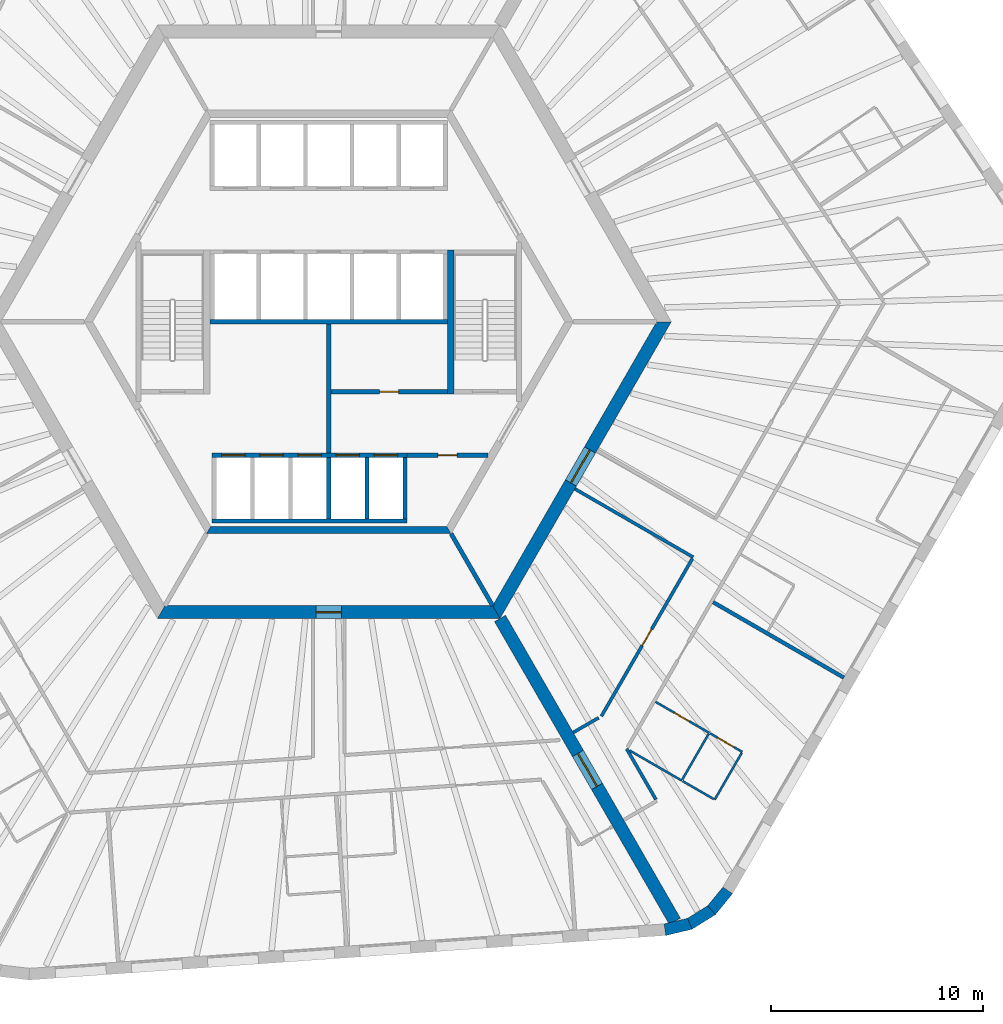
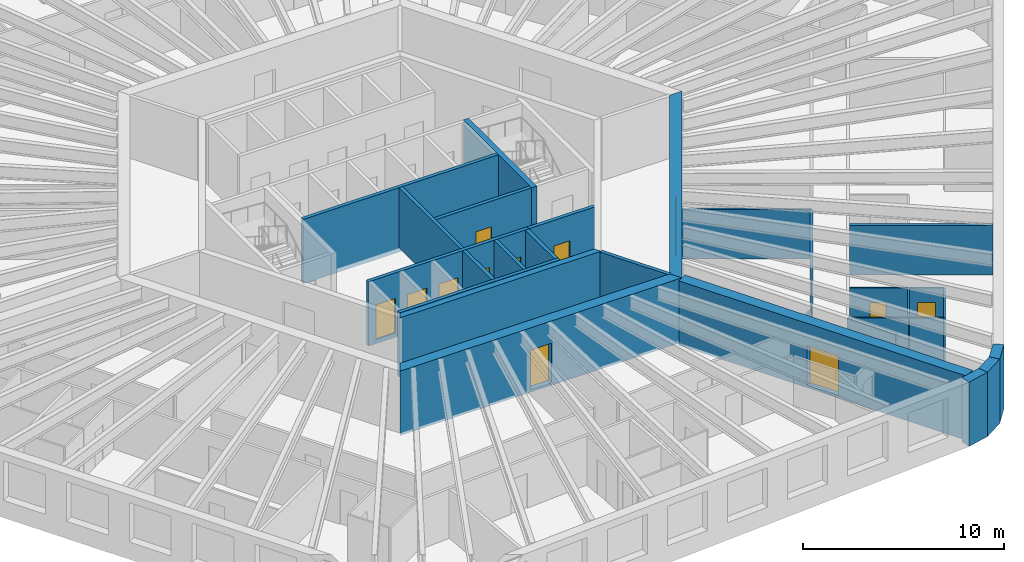
# One storey, part 5 of 11: 29 walls, 13 doors, 13 openings.
"""IFC4 building model written with IfcOpenShell, lengths in metres."""

from ifc_helpers import new_model, si_unit, direction, frame, frame_2d, origin, place, context, subcontext, project, spatial, polyline, rectangle, outline, extrude, material, layer, layer_set, type_object, element, fill, save


model = new_model("IFC4")

# Units and contexts
model_context = context("Model", 3, precision=1e-05, world=origin(), true_north=direction((0.0, 1.0)))
body_context = subcontext(model_context, "Body", "Model", "MODEL_VIEW")
ifc_project = project(units=[si_unit("LENGTHUNIT", "METRE"), si_unit("AREAUNIT", "SQUARE_METRE"), si_unit("VOLUMEUNIT", "CUBIC_METRE"), si_unit("PLANEANGLEUNIT", "RADIAN"), si_unit("MASSUNIT", "GRAM", prefix="KILO")], contexts=[model_context])

# Site, building, storey
site_placement = place(None, origin())
site = spatial("IfcSite", under=ifc_project, at=site_placement, CompositionType="ELEMENT")
building_placement = place(site_placement, origin())
building = spatial("IfcBuilding", under=site, at=building_placement, Name="Tarnside Tower", CompositionType="ELEMENT")
storey_placement = place(building_placement, frame((0.0, 0.0, 103.800048828125)))
storey = spatial("IfcBuildingStorey", under=building, at=storey_placement, Name="L23", CompositionType="ELEMENT", Elevation=103.800048828125)

# Wall
ifc_material_1 = material(Name="Gypsum board partition on steel studs", Category="steel")
ifc_layer_1 = layer(ifc_material_1, 0.10009765625)
ifc_layer_set_1 = layer_set([ifc_layer_1], Name="Bathroom wall 100")
wall_type_1 = type_object("IfcWallType", Name="Bathroom wall 100", PredefinedType="PARTITIONING", material=ifc_layer_set_1)
wall_1_placement = place(storey_placement, frame((16.656494140625, -21.64990234375, 0.0), z_axis=(0.0, 0.0, 1.0), x_axis=(-0.866041498374, 0.499972122318, 0.0)))
element("IfcWall", 1, at=wall_1_placement, inside=storey, type_object=wall_type_1, Name="Bathroom wall 07131", PredefinedType="PARTITIONING", context=body_context, shape_type="SweptSolid", body=[
    extrude(rectangle(XDim=2.849853515625, YDim=0.10009765625, at=frame_2d((1.4248046875, 0.0))), origin(), (0.0, 0.0, 1.0), 2.98779296875),
])

# Wall, opening, door
wall_2_placement = place(storey_placement, frame((15.42333984375, -17.935791015625, 0.0), z_axis=(0.0, 0.0, 1.0), x_axis=(0.86601045545, -0.500025890382, 0.0)))
wall_2 = element("IfcWall", 2, at=wall_2_placement, inside=storey, type_object=wall_type_1, Name="Bathroom wall 07132", PredefinedType="PARTITIONING", context=body_context, shape_type="SweptSolid", body=[
    extrude(rectangle(XDim=2.925048828125, YDim=0.10009765625, at=frame_2d((1.46240234375, 0.0))), origin(), (0.0, 0.0, 1.0), 2.98779296875),
])
opening_1_placement = place(wall_2_placement, frame((1.02490234375, 0.0, 0.0)))
opening_1 = element("IfcOpeningElement", 3, at=opening_1_placement, cuts=wall_2, Name="Opening D-B1", PredefinedType="OPENING", context=body_context, shape_type="SweptSolid", body=[
    extrude(rectangle(XDim=0.800048828125, YDim=2.10009765625, at=frame_2d((0.39990234375, 1.050048828125))), frame((0.0, 0.06005859375, 0.0), z_axis=(0.0, -1.0, 0.0), x_axis=(1.0, 0.0, 0.0)), (0.0, 0.0, 1.0), 0.1201171875),
])
ifc_material_2 = material(Name="Timber door leaf", Category="wood")
door_type_1 = type_object("IfcDoorType", Name="Bathroom door 800", OperationType="NOTDEFINED", PredefinedType="DOOR", material=ifc_material_2)
door_1_placement = place(opening_1_placement, origin())
door_1 = element("IfcDoor", 4, at=door_1_placement, inside=storey, type_object=door_type_1, Name="Bathroom door 07030", OperationType="SINGLE_SWING_RIGHT", OverallHeight=2.10009765625, OverallWidth=0.800048828125, PredefinedType="DOOR", context=body_context, shape_type="SweptSolid", body=[
    extrude(rectangle(XDim=0.800048828125, YDim=2.10009765625, at=frame_2d((0.39990234375, 1.050048828125))), frame((0.0, 0.02490234375, 0.0), z_axis=(0.0, -1.0, 0.0), x_axis=(1.0, 0.0, 0.0)), (0.0, 0.0, 1.0), 0.050048828125),
])
fill(opening_1, door_1)

# Walls
wall_3_placement = place(storey_placement, frame((16.681640625, -21.606689453125, 0.0), z_axis=(0.0, 0.0, 1.0), x_axis=(0.500004234368, 0.866022959057, 0.0)))
element("IfcWall", 5, at=wall_3_placement, inside=storey, type_object=wall_type_1, Name="Bathroom wall 07138", PredefinedType="PARTITIONING", context=body_context, shape_type="SweptSolid", body=[
    extrude(rectangle(XDim=2.5, YDim=0.10009765625, at=frame_2d((1.25, 0.0))), origin(), (0.0, 0.0, 1.0), 2.98779296875),
])
ifc_material_3 = material(Name="Concrete C50/60", Category="concrete")
ifc_layer_2 = layer(ifc_material_3, 0.35009765625)
ifc_layer_set_2 = layer_set([ifc_layer_2], Name="Core block wall 350 C50/60")
wall_type_2 = type_object("IfcWallType", Name="Core block wall 350 C50/60", PredefinedType="SHEAR", material=ifc_layer_set_2)
wall_4_placement = place(storey_placement, frame((-5.672607421875, -9.824951171875, -0.150146484375), z_axis=(0.0, 0.0, 1.0), x_axis=(1.0, 0.0, 0.0)))
element("IfcWall", 6, at=wall_4_placement, inside=storey, type_object=wall_type_2, Name="L23 core block wall face 4", PredefinedType="SHEAR", context=body_context, shape_type="SweptSolid", body=[
    extrude(outline(polyline([(-0.10107421875, -0.175048828125), (11.4462890625, -0.175048828125), (11.244140625, 0.175048828125), (0.10107421875, 0.175048828125), (-0.10107421875, -0.175048828125)])), origin(), (0.0, 0.0, 1.0), 3.900146484375),
])

# Wall, opening, door
ifc_material_4 = material(Name="Concrete C40/50", Category="concrete")
ifc_layer_3 = layer(ifc_material_4, 0.199951171875)
ifc_layer_set_3 = layer_set([ifc_layer_3], Name="Core room partition 200 C40/50")
wall_type_3 = type_object("IfcWallType", Name="Core room partition 200 C40/50", PredefinedType="PARTITIONING", material=ifc_layer_set_3)
wall_5_placement = place(storey_placement, frame((0.10009765625, -3.300048828125, 0.0), z_axis=(0.0, 0.0, 1.0), x_axis=(1.0, 0.0, 0.0)))
wall_5 = element("IfcWall", 7, at=wall_5_placement, inside=storey, type_object=wall_type_3, Name="L23 core partition R3S1", PredefinedType="PARTITIONING", context=body_context, shape_type="SweptSolid", body=[
    extrude(rectangle(XDim=5.5, YDim=0.199951171875, at=frame_2d((2.75, 0.0))), origin(), (0.0, 0.0, 1.0), 3.64990234375),
])
opening_2_placement = place(wall_5_placement, frame((2.300048828125, 0.0, 0.0)))
opening_2 = element("IfcOpeningElement", 8, at=opening_2_placement, cuts=wall_5, Name="Opening CD-room", PredefinedType="OPENING", context=body_context, shape_type="SweptSolid", body=[
    extrude(rectangle(XDim=0.89990234375, YDim=2.10009765625, at=frame_2d((0.449951171875, 1.050048828125))), frame((0.0, 0.10986328125, 0.0), z_axis=(0.0, -1.0, 0.0), x_axis=(1.0, 0.0, 0.0)), (0.0, 0.0, 1.0), 0.219970703125),
])
ifc_material_5 = material(Name="Steel fire door", Category="steel")
door_type_2 = type_object("IfcDoorType", Name="Room door FD60 900x2100", OperationType="NOTDEFINED", PredefinedType="DOOR", material=ifc_material_5)
door_2_placement = place(opening_2_placement, origin())
door_2 = element("IfcDoor", 9, at=door_2_placement, inside=storey, type_object=door_type_2, Name="L23 core room door SR1", OperationType="SINGLE_SWING_LEFT", OverallHeight=2.10009765625, OverallWidth=0.89990234375, PredefinedType="DOOR", context=body_context, shape_type="SweptSolid", body=[
    extrude(rectangle(XDim=0.89990234375, YDim=2.10009765625, at=frame_2d((0.449951171875, 1.050048828125))), frame((0.0, 0.02490234375, 0.0), z_axis=(0.0, -1.0, 0.0), x_axis=(1.0, 0.0, 0.0)), (0.0, 0.0, 1.0), 0.050048828125),
])
fill(opening_2, door_2)

# Wall
wall_6_placement = place(storey_placement, frame((0.0, -6.199951171875, 0.0), z_axis=(0.0, 0.0, 1.0), x_axis=(0.0, 1.0, 0.0)))
element("IfcWall", 10, at=wall_6_placement, inside=storey, type_object=wall_type_3, Name="L23 core partition X0", PredefinedType="PARTITIONING", context=body_context, shape_type="SweptSolid", body=[
    extrude(rectangle(XDim=6.099853515625, YDim=0.199951171875, at=frame_2d((3.0498046875, 0.0))), origin(), (0.0, 0.0, 1.0), 3.64990234375),
])

# Wall, opening, door
wall_7_placement = place(storey_placement, frame((3.699951171875, -6.300048828125, 0.0), z_axis=(0.0, 0.0, 1.0), x_axis=(1.0, 0.0, 0.0)))
wall_7 = element("IfcWall", 11, at=wall_7_placement, inside=storey, type_object=wall_type_3, Name="L23 core partition R4X", PredefinedType="PARTITIONING", context=body_context, shape_type="SweptSolid", body=[
    extrude(rectangle(XDim=3.8056640625, YDim=0.199951171875, at=frame_2d((1.90283203125, 0.0))), origin(), (0.0, 0.0, 1.0), 3.64990234375),
])
opening_3_placement = place(wall_7_placement, frame((1.452880859375, 0.0, 0.0)))
opening_3 = element("IfcOpeningElement", 12, at=opening_3_placement, cuts=wall_7, Name="Opening CD-room", PredefinedType="OPENING", context=body_context, shape_type="SweptSolid", body=[
    extrude(rectangle(XDim=0.89990234375, YDim=2.10009765625, at=frame_2d((0.449951171875, 1.050048828125))), frame((0.0, 0.10986328125, 0.0), z_axis=(0.0, -1.0, 0.0), x_axis=(1.0, 0.0, 0.0)), (0.0, 0.0, 1.0), 0.219970703125),
])
door_3_placement = place(opening_3_placement, origin())
door_3 = element("IfcDoor", 13, at=door_3_placement, inside=storey, type_object=door_type_2, Name="L23 core room door RX", OperationType="SINGLE_SWING_LEFT", OverallHeight=2.10009765625, OverallWidth=0.89990234375, PredefinedType="DOOR", context=body_context, shape_type="SweptSolid", body=[
    extrude(rectangle(XDim=0.89990234375, YDim=2.10009765625, at=frame_2d((0.449951171875, 1.050048828125))), frame((0.0, 0.02490234375, 0.0), z_axis=(0.0, -1.0, 0.0), x_axis=(1.0, 0.0, 0.0)), (0.0, 0.0, 1.0), 0.050048828125),
])
fill(opening_3, door_3)

ifc_material_6 = material(Name="Concrete C80/95", Category="concrete")
ifc_layer_4 = layer(ifc_material_6, 0.60009765625)
ifc_layer_set_4 = layer_set([ifc_layer_4], Name="Core wall Z1 600 C80/95")
wall_type_4 = type_object("IfcWallType", Name="Core wall Z1 600 C80/95", PredefinedType="SHEAR", material=ifc_layer_set_4)
wall_8_placement = place(storey_placement, frame((-7.90966796875, -13.699951171875, -0.150146484375), z_axis=(0.0, 0.0, 1.0), x_axis=(1.0, 0.0, 0.0)))
wall_8 = element("IfcWall", 14, at=wall_8_placement, inside=storey, type_object=wall_type_4, Name="L23 core wall face 4", PredefinedType="SHEAR", context=body_context, shape_type="SweptSolid", body=[
    extrude(outline(polyline([(-0.17333984375, -0.300048828125), (15.99267578125, -0.300048828125), (15.64599609375, 0.300048828125), (0.17333984375, 0.300048828125), (-0.17333984375, -0.300048828125)])), origin(), (0.0, 0.0, 1.0), 3.900146484375),
])
opening_4_placement = place(wall_8_placement, frame((7.309814453125, 0.0, 0.14990234375)))
opening_4 = element("IfcOpeningElement", 15, at=opening_4_placement, cuts=wall_8, Name="Opening CD-RSR", PredefinedType="OPENING", context=body_context, shape_type="SweptSolid", body=[
    extrude(rectangle(XDim=1.199951171875, YDim=2.39990234375, at=frame_2d((0.60009765625, 1.199951171875))), frame((0.0, 0.31005859375, 0.0), z_axis=(0.0, -1.0, 0.0), x_axis=(1.0, 0.0, 0.0)), (0.0, 0.0, 1.0), 0.6201171875),
])
door_type_3 = type_object("IfcDoorType", Name="Riser door FD60 1200x2400", OperationType="NOTDEFINED", PredefinedType="DOOR", material=ifc_material_5)
door_4_placement = place(opening_4_placement, origin())
door_4 = element("IfcDoor", 16, at=door_4_placement, inside=storey, type_object=door_type_3, Name="L23 core door S6", OperationType="SINGLE_SWING_LEFT", OverallHeight=2.39990234375, OverallWidth=1.199951171875, PredefinedType="DOOR", context=body_context, shape_type="SweptSolid", body=[
    extrude(rectangle(XDim=1.199951171875, YDim=2.39990234375, at=frame_2d((0.60009765625, 1.199951171875))), frame((0.0, 0.02490234375, 0.0), z_axis=(0.0, -1.0, 0.0), x_axis=(1.0, 0.0, 0.0)), (0.0, 0.0, 1.0), 0.050048828125),
])
fill(opening_4, door_4)

wall_9_placement = place(storey_placement, frame((7.90966796875, -13.699951171875, -0.150146484375), z_axis=(0.0, 0.0, 1.0), x_axis=(0.499999880136, 0.866025472988, 0.0)))
wall_9 = element("IfcWall", 17, at=wall_9_placement, inside=storey, type_object=wall_type_4, Name="L23 core wall face 5", PredefinedType="SHEAR", context=body_context, shape_type="SweptSolid", body=[
    extrude(outline(polyline([(-0.17333984375, -0.300048828125), (15.99267578125, -0.300048828125), (15.64599609375, 0.300048828125), (0.17333984375, 0.300048828125), (-0.17333984375, -0.300048828125)])), origin(), (0.0, 0.0, 1.0), 3.900146484375),
])
opening_5_placement = place(wall_9_placement, frame((7.03857421875, 0.0, 0.14990234375)))
opening_5 = element("IfcOpeningElement", 18, at=opening_5_placement, cuts=wall_9, Name="Opening CD-FFL", PredefinedType="OPENING", context=body_context, shape_type="SweptSolid", body=[
    extrude(rectangle(XDim=1.800048828125, YDim=2.39990234375, at=frame_2d((0.89990234375, 1.199951171875))), frame((0.0, 0.31005859375, 0.0), z_axis=(0.0, -1.0, 0.0), x_axis=(1.0, 0.0, 0.0)), (0.0, 0.0, 1.0), 0.6201171875),
])
door_type_4 = type_object("IfcDoorType", Name="Firefighting lobby double door FD60S 1800x2400", OperationType="NOTDEFINED", PredefinedType="DOOR", material=ifc_material_5)
door_5_placement = place(opening_5_placement, origin())
door_5 = element("IfcDoor", 19, at=door_5_placement, inside=storey, type_object=door_type_4, Name="L23 core door P4", OperationType="DOUBLE_DOOR_SINGLE_SWING", OverallHeight=2.39990234375, OverallWidth=1.800048828125, PredefinedType="DOOR", context=body_context, shape_type="SweptSolid", body=[
    extrude(rectangle(XDim=1.800048828125, YDim=2.39990234375, at=frame_2d((0.89990234375, 1.199951171875))), frame((0.0, 0.02490234375, 0.0), z_axis=(0.0, -1.0, 0.0), x_axis=(1.0, 0.0, 0.0)), (0.0, 0.0, 1.0), 0.050048828125),
])
fill(opening_5, door_5)

wall_10_placement = place(storey_placement, frame((8.0830078125, -14.0, -0.150146484375), z_axis=(0.0, 0.0, 1.0), x_axis=(0.499997680643, -0.866026742862, 0.0)))
wall_10 = element("IfcWall", 20, at=wall_10_placement, inside=storey, type_object=wall_type_4, Name="L23 spine wall 3", PredefinedType="SHEAR", context=body_context, shape_type="SweptSolid", body=[
    extrude(rectangle(XDim=16.5087890625, YDim=0.60009765625, at=frame_2d((8.25439453125, 0.0))), origin(), (0.0, 0.0, 1.0), 3.900146484375),
])
opening_6_placement = place(wall_10_placement, frame((7.3544921875, 0.0, 0.14990234375)))
opening_6 = element("IfcOpeningElement", 21, at=opening_6_placement, cuts=wall_10, Name="Opening CD-SPN", PredefinedType="OPENING", context=body_context, shape_type="SweptSolid", body=[
    extrude(rectangle(XDim=1.800048828125, YDim=2.39990234375, at=frame_2d((0.89990234375, 1.199951171875))), frame((0.0, 0.31005859375, 0.0), z_axis=(0.0, -1.0, 0.0), x_axis=(1.0, 0.0, 0.0)), (0.0, 0.0, 1.0), 0.6201171875),
])
door_type_5 = type_object("IfcDoorType", Name="Spine passage double door FD60 1800x2400", OperationType="NOTDEFINED", PredefinedType="DOOR", material=ifc_material_5)
door_6_placement = place(opening_6_placement, origin())
door_6 = element("IfcDoor", 22, at=door_6_placement, inside=storey, type_object=door_type_5, Name="L23 spine passage door 3", OperationType="DOUBLE_DOOR_SINGLE_SWING", OverallHeight=2.39990234375, OverallWidth=1.800048828125, PredefinedType="DOOR", context=body_context, shape_type="SweptSolid", body=[
    extrude(rectangle(XDim=1.800048828125, YDim=2.39990234375, at=frame_2d((0.89990234375, 1.199951171875))), frame((0.0, 0.02490234375, 0.0), z_axis=(0.0, -1.0, 0.0), x_axis=(1.0, 0.0, 0.0)), (0.0, 0.0, 1.0), 0.050048828125),
])
fill(opening_6, door_6)

# Walls
ifc_layer_5 = layer(ifc_material_1, 0.14990234375)
ifc_layer_set_5 = layer_set([ifc_layer_5], Name="Corridor wall 150 EI 60")
wall_type_5 = type_object("IfcWallType", Name="Corridor wall 150 EI 60", PredefinedType="PARTITIONING", material=ifc_layer_set_5)
wall_11_placement = place(storey_placement, frame((15.44140625, -22.545166015625, 0.0), z_axis=(0.0, 0.0, 1.0), x_axis=(-0.499974611044, 0.866040061609, 0.0)))
element("IfcWall", 23, at=wall_11_placement, inside=storey, type_object=wall_type_5, Name="Corridor wall 07053", PredefinedType="PARTITIONING", context=body_context, shape_type="SweptSolid", body=[
    extrude(rectangle(XDim=2.765869140625, YDim=0.14990234375, at=frame_2d((1.3828125, 0.0))), origin(), (0.0, 0.0, 1.0), 2.98779296875),
])
wall_12_placement = place(storey_placement, frame((11.61376953125, -7.88427734375, 0.0), z_axis=(0.0, 0.0, 1.0), x_axis=(0.866021702275, -0.500006411147, 0.0)))
element("IfcWall", 24, at=wall_12_placement, inside=storey, type_object=wall_type_5, Name="Corridor wall 07071", PredefinedType="PARTITIONING", context=body_context, shape_type="SweptSolid", body=[
    extrude(rectangle(XDim=6.4501953125, YDim=0.14990234375, at=frame_2d((3.22509765625, 0.0))), origin(), (0.0, 0.0, 1.0), 2.98779296875),
])

# Wall, opening, door
wall_13_placement = place(storey_placement, frame((17.162109375, -11.17431640625, 0.0), z_axis=(0.0, 0.0, 1.0), x_axis=(-0.499997214665, -0.866027011893, 0.0)))
wall_13 = element("IfcWall", 25, at=wall_13_placement, inside=storey, type_object=wall_type_5, Name="Corridor wall 07072", PredefinedType="PARTITIONING", context=body_context, shape_type="SweptSolid", body=[
    extrude(rectangle(XDim=8.5888671875, YDim=0.14990234375, at=frame_2d((4.29443359375, 0.0))), origin(), (0.0, 0.0, 1.0), 2.98779296875),
])
opening_7_placement = place(wall_13_placement, frame((3.844482421875, 0.0, 0.0)))
opening_7 = element("IfcOpeningElement", 26, at=opening_7_placement, cuts=wall_13, Name="Opening D-S1", PredefinedType="OPENING", context=body_context, shape_type="SweptSolid", body=[
    extrude(rectangle(XDim=0.89990234375, YDim=2.10009765625, at=frame_2d((0.449951171875, 1.050048828125))), frame((0.0, 0.0849609375, 0.0), z_axis=(0.0, -1.0, 0.0), x_axis=(1.0, 0.0, 0.0)), (0.0, 0.0, 1.0), 0.169921875),
])
door_type_6 = type_object("IfcDoorType", Name="Service room door 900 FD30S", OperationType="NOTDEFINED", PredefinedType="DOOR", material=ifc_material_2)
door_7_placement = place(opening_7_placement, origin())
door_7 = element("IfcDoor", 27, at=door_7_placement, inside=storey, type_object=door_type_6, Name="Service door 07049", OperationType="SINGLE_SWING_LEFT", OverallHeight=2.10009765625, OverallWidth=0.89990234375, PredefinedType="DOOR", context=body_context, shape_type="SweptSolid", body=[
    extrude(rectangle(XDim=0.89990234375, YDim=2.10009765625, at=frame_2d((0.449951171875, 1.050048828125))), frame((0.0, 0.02490234375, 0.0), z_axis=(0.0, -1.0, 0.0), x_axis=(1.0, 0.0, 0.0)), (0.0, 0.0, 1.0), 0.050048828125),
])
fill(opening_7, door_7)

# Walls
wall_14_placement = place(storey_placement, frame((12.73779296875, -18.6875, 0.0), z_axis=(0.0, 0.0, 1.0), x_axis=(-0.866080107329, -0.499905238708, 0.0)))
element("IfcWall", 28, at=wall_14_placement, inside=storey, type_object=wall_type_5, Name="Corridor wall 07073", PredefinedType="PARTITIONING", context=body_context, shape_type="SweptSolid", body=[
    extrude(rectangle(XDim=1.387451171875, YDim=0.14990234375, at=frame_2d((0.69384765625, 0.0))), origin(), (0.0, 0.0, 1.0), 2.98779296875),
])
ifc_layer_6 = layer(ifc_material_1, 0.179931640625)
ifc_layer_set_6 = layer_set([ifc_layer_6], Name="Demising wall 180 EI 60")
wall_type_6 = type_object("IfcWallType", Name="Demising wall 180 EI 60", PredefinedType="PARTITIONING", material=ifc_layer_set_6)
wall_15_placement = place(storey_placement, frame((24.31005859375, -16.7939453125, 0.0), z_axis=(0.0, 0.0, 1.0), x_axis=(-0.866024672353, 0.500001266874, 0.0)))
element("IfcWall", 29, at=wall_15_placement, inside=storey, type_object=wall_type_6, Name="Demising wall 07136", PredefinedType="PARTITIONING", context=body_context, shape_type="SweptSolid", body=[
    extrude(rectangle(XDim=7.125, YDim=0.179931640625, at=frame_2d((3.5625, 0.0))), origin(), (0.0, 0.0, 1.0), 2.98779296875),
])
ifc_layer_7 = layer(ifc_material_4, 0.199951171875)
ifc_layer_set_7 = layer_set([ifc_layer_7], Name="Lift shaft wall 200 C40/50")
wall_type_7 = type_object("IfcWallType", Name="Lift shaft wall 200 C40/50", PredefinedType="SHEAR", material=ifc_layer_set_7)
wall_16_placement = place(storey_placement, frame((-5.60009765625, 0.0, -0.25), z_axis=(0.0, 0.0, 1.0), x_axis=(1.0, 0.0, 0.0)))
element("IfcWall", 30, at=wall_16_placement, inside=storey, type_object=wall_type_7, Name="L23 lift shaft back wall R2", PredefinedType="SHEAR", context=body_context, shape_type="SweptSolid", body=[
    extrude(rectangle(XDim=11.2001953125, YDim=0.199951171875, at=frame_2d((5.60009765625, 0.0))), origin(), (0.0, 0.0, 1.0), 3.89990234375),
])

# Wall, openings, doors
wall_17_placement = place(storey_placement, frame((-5.5, -6.300048828125, -0.25), z_axis=(0.0, 0.0, 1.0), x_axis=(1.0, 0.0, 0.0)))
wall_17 = element("IfcWall", 31, at=wall_17_placement, inside=storey, type_object=wall_type_7, Name="L23 lift shaft front wall R4", PredefinedType="SHEAR", context=body_context, shape_type="SweptSolid", body=[
    extrude(rectangle(XDim=9.199951171875, YDim=0.199951171875, at=frame_2d((4.60009765625, 0.0))), origin(), (0.0, 0.0, 1.0), 3.89990234375),
])
opening_8_placement = place(wall_17_placement, frame((0.449951171875, 0.0, 0.25)))
opening_8 = element("IfcOpeningElement", 32, at=opening_8_placement, cuts=wall_17, Name="Opening LDF", PredefinedType="OPENING", context=body_context, shape_type="SweptSolid", body=[
    extrude(rectangle(XDim=1.10009765625, YDim=2.10009765625, at=frame_2d((0.550048828125, 1.050048828125))), frame((0.0, 0.10986328125, 0.0), z_axis=(0.0, -1.0, 0.0), x_axis=(1.0, 0.0, 0.0)), (0.0, 0.0, 1.0), 0.219970703125),
])
opening_9_placement = place(wall_17_placement, frame((2.25, 0.0, 0.25)))
opening_9 = element("IfcOpeningElement", 33, at=opening_9_placement, cuts=wall_17, Name="Opening LDF", PredefinedType="OPENING", context=body_context, shape_type="SweptSolid", body=[
    extrude(rectangle(XDim=1.10009765625, YDim=2.10009765625, at=frame_2d((0.550048828125, 1.050048828125))), frame((0.0, 0.10986328125, 0.0), z_axis=(0.0, -1.0, 0.0), x_axis=(1.0, 0.0, 0.0)), (0.0, 0.0, 1.0), 0.219970703125),
])
opening_10_placement = place(wall_17_placement, frame((4.050048828125, 0.0, 0.25)))
opening_10 = element("IfcOpeningElement", 34, at=opening_10_placement, cuts=wall_17, Name="Opening LDF", PredefinedType="OPENING", context=body_context, shape_type="SweptSolid", body=[
    extrude(rectangle(XDim=1.10009765625, YDim=2.10009765625, at=frame_2d((0.550048828125, 1.050048828125))), frame((0.0, 0.10986328125, 0.0), z_axis=(0.0, -1.0, 0.0), x_axis=(1.0, 0.0, 0.0)), (0.0, 0.0, 1.0), 0.219970703125),
])
opening_11_placement = place(wall_17_placement, frame((5.85009765625, 0.0, 0.25)))
opening_11 = element("IfcOpeningElement", 35, at=opening_11_placement, cuts=wall_17, Name="Opening LDF", PredefinedType="OPENING", context=body_context, shape_type="SweptSolid", body=[
    extrude(rectangle(XDim=1.10009765625, YDim=2.10009765625, at=frame_2d((0.550048828125, 1.050048828125))), frame((0.0, 0.10986328125, 0.0), z_axis=(0.0, -1.0, 0.0), x_axis=(1.0, 0.0, 0.0)), (0.0, 0.0, 1.0), 0.219970703125),
])
opening_12_placement = place(wall_17_placement, frame((7.64990234375, 0.0, 0.25)))
opening_12 = element("IfcOpeningElement", 36, at=opening_12_placement, cuts=wall_17, Name="Opening LDF", PredefinedType="OPENING", context=body_context, shape_type="SweptSolid", body=[
    extrude(rectangle(XDim=1.10009765625, YDim=2.10009765625, at=frame_2d((0.550048828125, 1.050048828125))), frame((0.0, 0.10986328125, 0.0), z_axis=(0.0, -1.0, 0.0), x_axis=(1.0, 0.0, 0.0)), (0.0, 0.0, 1.0), 0.219970703125),
])
ifc_material_7 = material(Name="Stainless steel", Category="steel")
door_type_7 = type_object("IfcDoorType", Name="Lift landing door 1100x2100 EI 120", OperationType="NOTDEFINED", PredefinedType="DOOR", material=ifc_material_7)
door_8_placement = place(opening_8_placement, origin())
door_8 = element("IfcDoor", 37, at=door_8_placement, inside=storey, type_object=door_type_7, Name="Firefighting lift 1 landing door L23", OperationType="SLIDING_TO_LEFT", OverallHeight=2.10009765625, OverallWidth=1.10009765625, PredefinedType="DOOR", context=body_context, shape_type="SweptSolid", body=[
    extrude(rectangle(XDim=1.10009765625, YDim=2.10009765625, at=frame_2d((0.550048828125, 1.050048828125))), frame((0.0, 0.02490234375, 0.0), z_axis=(0.0, -1.0, 0.0), x_axis=(1.0, 0.0, 0.0)), (0.0, 0.0, 1.0), 0.050048828125),
])
fill(opening_8, door_8)
door_9_placement = place(opening_9_placement, origin())
door_9 = element("IfcDoor", 38, at=door_9_placement, inside=storey, type_object=door_type_7, Name="Firefighting lift 2 landing door L23", OperationType="SLIDING_TO_LEFT", OverallHeight=2.10009765625, OverallWidth=1.10009765625, PredefinedType="DOOR", context=body_context, shape_type="SweptSolid", body=[
    extrude(rectangle(XDim=1.10009765625, YDim=2.10009765625, at=frame_2d((0.550048828125, 1.050048828125))), frame((0.0, 0.02490234375, 0.0), z_axis=(0.0, -1.0, 0.0), x_axis=(1.0, 0.0, 0.0)), (0.0, 0.0, 1.0), 0.050048828125),
])
fill(opening_9, door_9)
door_10_placement = place(opening_10_placement, origin())
door_10 = element("IfcDoor", 39, at=door_10_placement, inside=storey, type_object=door_type_7, Name="Firefighting lift 3 landing door L23", OperationType="SLIDING_TO_LEFT", OverallHeight=2.10009765625, OverallWidth=1.10009765625, PredefinedType="DOOR", context=body_context, shape_type="SweptSolid", body=[
    extrude(rectangle(XDim=1.10009765625, YDim=2.10009765625, at=frame_2d((0.550048828125, 1.050048828125))), frame((0.0, 0.02490234375, 0.0), z_axis=(0.0, -1.0, 0.0), x_axis=(1.0, 0.0, 0.0)), (0.0, 0.0, 1.0), 0.050048828125),
])
fill(opening_10, door_10)
door_11_placement = place(opening_11_placement, origin())
door_11 = element("IfcDoor", 40, at=door_11_placement, inside=storey, type_object=door_type_7, Name="Firefighting lift 4 landing door L23", OperationType="SLIDING_TO_LEFT", OverallHeight=2.10009765625, OverallWidth=1.10009765625, PredefinedType="DOOR", context=body_context, shape_type="SweptSolid", body=[
    extrude(rectangle(XDim=1.10009765625, YDim=2.10009765625, at=frame_2d((0.550048828125, 1.050048828125))), frame((0.0, 0.02490234375, 0.0), z_axis=(0.0, -1.0, 0.0), x_axis=(1.0, 0.0, 0.0)), (0.0, 0.0, 1.0), 0.050048828125),
])
fill(opening_11, door_11)
door_12_placement = place(opening_12_placement, origin())
door_12 = element("IfcDoor", 41, at=door_12_placement, inside=storey, type_object=door_type_7, Name="Firefighting lift 5 landing door L23", OperationType="SLIDING_TO_LEFT", OverallHeight=2.10009765625, OverallWidth=1.10009765625, PredefinedType="DOOR", context=body_context, shape_type="SweptSolid", body=[
    extrude(rectangle(XDim=1.10009765625, YDim=2.10009765625, at=frame_2d((0.550048828125, 1.050048828125))), frame((0.0, 0.02490234375, 0.0), z_axis=(0.0, -1.0, 0.0), x_axis=(1.0, 0.0, 0.0)), (0.0, 0.0, 1.0), 0.050048828125),
])
fill(opening_12, door_12)

# Walls
wall_18_placement = place(storey_placement, frame((-5.5, -9.39990234375, -0.25), z_axis=(0.0, 0.0, 1.0), x_axis=(1.0, 0.0, 0.0)))
element("IfcWall", 42, at=wall_18_placement, inside=storey, type_object=wall_type_7, Name="L23 lift shaft back wall R4", PredefinedType="SHEAR", context=body_context, shape_type="SweptSolid", body=[
    extrude(rectangle(XDim=9.199951171875, YDim=0.199951171875, at=frame_2d((4.60009765625, 0.0))), origin(), (0.0, 0.0, 1.0), 3.89990234375),
])
for number, where, z_axis, x_axis, name in (
    (43, (0.0, -9.300048828125, -0.25), (0.0, 0.0, 1.0), (0.0, 1.0, 0.0), "L23 lift shaft partition R44"),
    (44, (1.800048828125, -9.300048828125, -0.25), (0.0, 0.0, 1.0), (0.0, 1.0, 0.0), "L23 lift shaft partition R45"),
    (45, (3.60009765625, -9.300048828125, -0.25), (0.0, 0.0, 1.0), (0.0, 1.0, 0.0), "L23 lift shaft partition R46"),
):
    element("IfcWall", number, at=place(storey_placement, frame(where, z_axis=z_axis, x_axis=x_axis)), inside=storey, type_object=wall_type_7, Name=name, PredefinedType="SHEAR", context=body_context, shape_type="SweptSolid", body=[
        extrude(rectangle(XDim=2.900146484375, YDim=0.199951171875, at=frame_2d((1.4501953125, 0.0))), origin(), (0.0, 0.0, 1.0), 3.89990234375),
    ])
wall_19_placement = place(storey_placement, frame((5.7734375, -10.0, -0.150146484375), z_axis=(0.0, 0.0, 1.0), x_axis=(0.500038251005, -0.86600331843, 0.0)))
element("IfcWall", 46, at=wall_19_placement, inside=storey, type_object=wall_type_7, Name="L23 core partition AR300", PredefinedType="SHEAR", context=body_context, shape_type="SweptSolid", body=[
    extrude(rectangle(XDim=3.926025390625, YDim=0.199951171875, at=frame_2d((1.962890625, 0.0))), origin(), (0.0, 0.0, 1.0), 3.900146484375),
])

# Wall, opening, door
ifc_layer_8 = layer(ifc_material_1, 0.10009765625)
ifc_layer_set_8 = layer_set([ifc_layer_8], Name="Partition 100")
wall_type_8 = type_object("IfcWallType", Name="Partition 100", PredefinedType="PARTITIONING", material=ifc_layer_set_8)
wall_20_placement = place(storey_placement, frame((17.999755859375, -19.42333984375, 0.0), z_axis=(0.0, 0.0, 1.0), x_axis=(0.866036909293, -0.499980071345, 0.0)))
wall_20 = element("IfcWall", 47, at=wall_20_placement, inside=storey, type_object=wall_type_8, Name="Partition wall 07133", PredefinedType="PARTITIONING", context=body_context, shape_type="SweptSolid", body=[
    extrude(rectangle(XDim=1.75, YDim=0.10009765625, at=frame_2d((0.875, 0.0))), origin(), (0.0, 0.0, 1.0), 2.98779296875),
])
opening_13_placement = place(wall_20_placement, frame((0.39990234375, 0.0, 0.0)))
opening_13 = element("IfcOpeningElement", 48, at=opening_13_placement, cuts=wall_20, Name="Opening D-I1", PredefinedType="OPENING", context=body_context, shape_type="SweptSolid", body=[
    extrude(rectangle(XDim=0.89990234375, YDim=2.10009765625, at=frame_2d((0.449951171875, 1.050048828125))), frame((0.0, 0.06005859375, 0.0), z_axis=(0.0, -1.0, 0.0), x_axis=(1.0, 0.0, 0.0)), (0.0, 0.0, 1.0), 0.1201171875),
])
door_type_8 = type_object("IfcDoorType", Name="Internal door 900", OperationType="NOTDEFINED", PredefinedType="DOOR", material=ifc_material_2)
door_13_placement = place(opening_13_placement, origin())
door_13 = element("IfcDoor", 49, at=door_13_placement, inside=storey, type_object=door_type_8, Name="Internal door 07031", OperationType="SINGLE_SWING_RIGHT", OverallHeight=2.10009765625, OverallWidth=0.89990234375, PredefinedType="DOOR", context=body_context, shape_type="SweptSolid", body=[
    extrude(rectangle(XDim=0.89990234375, YDim=2.10009765625, at=frame_2d((0.449951171875, 1.050048828125))), frame((0.0, 0.02490234375, 0.0), z_axis=(0.0, -1.0, 0.0), x_axis=(1.0, 0.0, 0.0)), (0.0, 0.0, 1.0), 0.050048828125),
])
fill(opening_13, door_13)

# Walls
wall_21_placement = place(storey_placement, frame((19.490478515625, -20.341552734375, 0.0), z_axis=(0.0, 0.0, 1.0), x_axis=(-0.500020783669, -0.866013403995, 0.0)))
element("IfcWall", 50, at=wall_21_placement, inside=storey, type_object=wall_type_8, Name="Partition wall 07134", PredefinedType="PARTITIONING", context=body_context, shape_type="SweptSolid", body=[
    extrude(rectangle(XDim=2.55029296875, YDim=0.10009765625, at=frame_2d((1.275146484375, 0.0))), origin(), (0.0, 0.0, 1.0), 2.98779296875),
])
wall_22_placement = place(storey_placement, frame((18.172119140625, -22.52490234375, 0.0), z_axis=(0.0, 0.0, 1.0), x_axis=(-0.86605165483, 0.499954529098, 0.0)))
element("IfcWall", 51, at=wall_22_placement, inside=storey, type_object=wall_type_8, Name="Partition wall 07135", PredefinedType="PARTITIONING", context=body_context, shape_type="SweptSolid", body=[
    extrude(rectangle(XDim=1.699951171875, YDim=0.10009765625, at=frame_2d((0.85009765625, 0.0))), origin(), (0.0, 0.0, 1.0), 2.98779296875),
])
ifc_layer_9 = layer(ifc_material_4, 0.300048828125)
ifc_layer_set_9 = layer_set([ifc_layer_9], Name="Stair enclosure wall 300 C40/50")
wall_type_9 = type_object("IfcWallType", Name="Stair enclosure wall 300 C40/50", PredefinedType="SHEAR", material=ifc_layer_set_9)
wall_23_placement = place(storey_placement, frame((5.75, -3.39990234375, -0.25), z_axis=(0.0, 0.0, 1.0), x_axis=(0.0, 1.0, 0.0)))
element("IfcWall", 52, at=wall_23_placement, inside=storey, type_object=wall_type_9, Name="L23 stair 1 enclosure wall inner", PredefinedType="SHEAR", context=body_context, shape_type="SweptSolid", body=[
    extrude(rectangle(XDim=6.7998046875, YDim=0.300048828125, at=frame_2d((3.39990234375, 0.0))), origin(), (0.0, 0.0, 1.0), 3.89990234375),
])
ifc_material_8 = material(Name="Facing brick", Category="masonry")
ifc_layer_10 = layer(ifc_material_8, 0.10205078125)
ifc_material_9 = material(Name="Concrete C60/75 precast", Category="concrete")
ifc_layer_11 = layer(ifc_material_9, 0.347900390625)
ifc_material_10 = material(Name="Mineral wool insulation")
ifc_layer_12 = layer(ifc_material_10, 0.10009765625)
ifc_layer_set_10 = layer_set([ifc_layer_10, ifc_layer_11, ifc_layer_12], Name="Tube wall 550 brick faced")
wall_type_10 = type_object("IfcWallType", Name="Tube wall 550 brick faced", PredefinedType="SOLIDWALL", material=ifc_layer_set_10)
wall_24_placement = place(storey_placement, frame((15.8642578125, -28.688232421875, -0.150146484375), z_axis=(0.0, 0.0, 1.0), x_axis=(0.973063591128, 0.230536868247, 0.0)))
element("IfcWall", 53, at=wall_24_placement, inside=storey, type_object=wall_type_10, Name="Tube wall L23 F4 chord 13", PredefinedType="SOLIDWALL", context=body_context, shape_type="SweptSolid", body=[
    extrude(outline(polyline([(-0.0224609375, -0.27490234375), (1.25341796875, -0.27490234375), (1.1630859375, 0.27490234375), (0.0224609375, 0.27490234375), (-0.0224609375, -0.27490234375)])), origin(), (0.0, 0.0, 1.0), 3.900146484375),
])
wall_25_placement = place(storey_placement, frame((17.0400390625, -28.40966796875, -0.150146484375), z_axis=(0.0, 0.0, 1.0), x_axis=(0.847952888306, 0.530071598195, 0.0)))
element("IfcWall", 54, at=wall_25_placement, inside=storey, type_object=wall_type_10, Name="Tube wall L23 F4 chord 14", PredefinedType="SOLIDWALL", context=body_context, shape_type="SweptSolid", body=[
    extrude(outline(polyline([(-0.045166015625, -0.27490234375), (1.253173828125, -0.27490234375), (1.162841796875, 0.27490234375), (0.045166015625, 0.27490234375), (-0.045166015625, -0.27490234375)])), origin(), (0.0, 0.0, 1.0), 3.900146484375),
])
wall_26_placement = place(storey_placement, frame((18.064453125, -27.769287109375, -0.150146484375), z_axis=(0.0, 0.0, 1.0), x_axis=(0.633842757806, 0.773461930787, 0.0)))
element("IfcWall", 55, at=wall_26_placement, inside=storey, type_object=wall_type_10, Name="Tube wall L23 F4 chord 15", PredefinedType="SOLIDWALL", context=body_context, shape_type="SweptSolid", body=[
    extrude(outline(polyline([(-0.045166015625, -0.27490234375), (1.230712890625, -0.27490234375), (1.185791015625, 0.27490234375), (0.045166015625, 0.27490234375), (-0.045166015625, -0.27490234375)])), origin(), (0.0, 0.0, 1.0), 3.900146484375),
])

save(model, "model.ifc")
